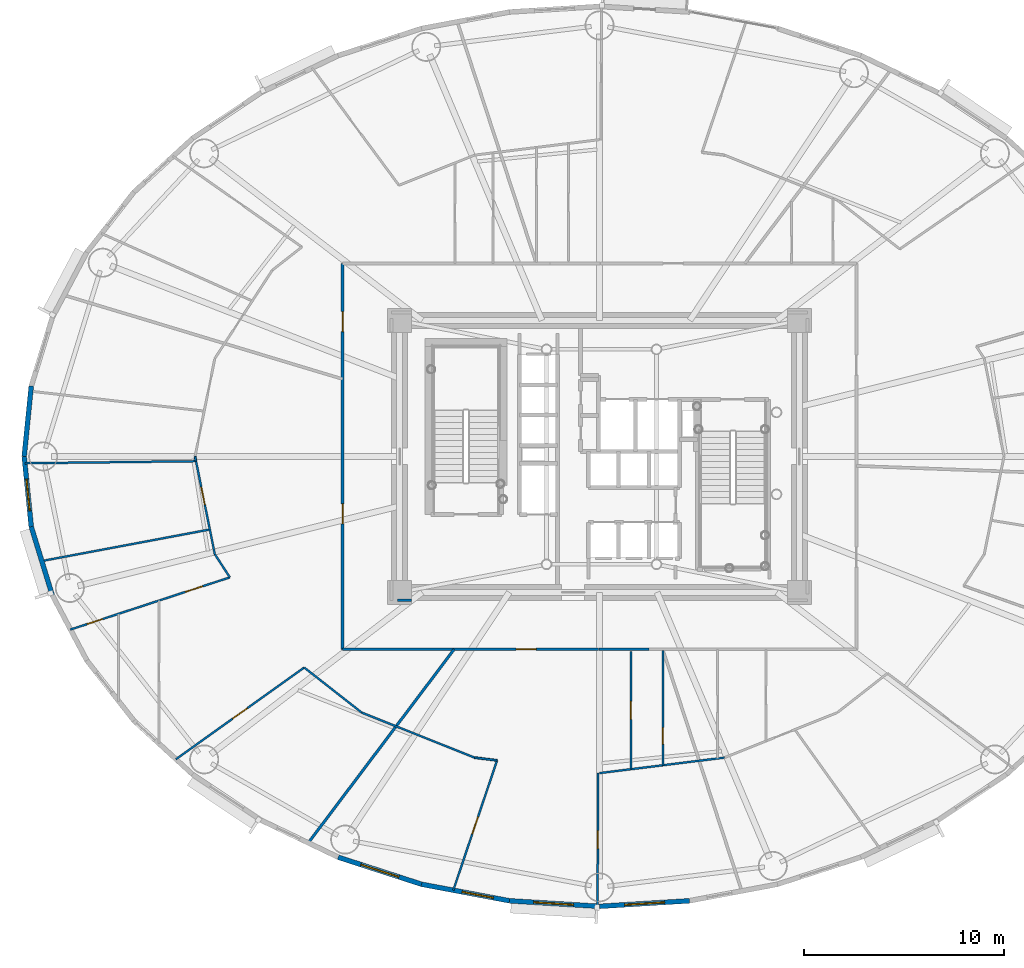
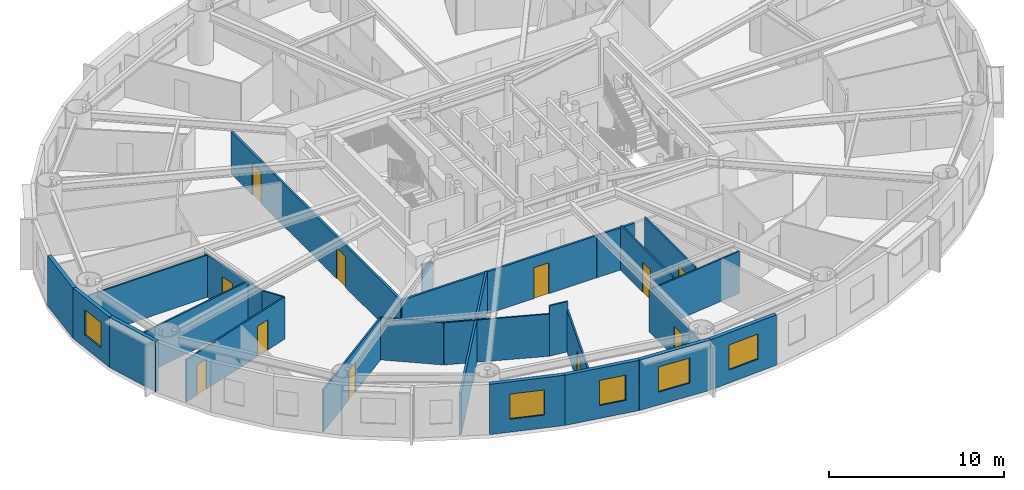
# One storey, part 6 of 16: 27 walls, 11 doors, 5 windows, 16 openings.
"""IFC4 building model written with IfcOpenShell, lengths in metres."""

from ifc_helpers import new_model, si_unit, direction, frame, frame_2d, origin, origin_2d, place, context, subcontext, project, spatial, rectangle, extrude, source, transform, mapped, material, layer, layer_set, type_object, element, fill, save


model = new_model("IFC4")

# Units and contexts
model_context = context("Model", 3, precision=1e-05, world=origin(), true_north=direction((0.0, 1.0)))
body_context = subcontext(model_context, "Body", "Model", "MODEL_VIEW")
ifc_project = project(units=[si_unit("LENGTHUNIT", "METRE"), si_unit("AREAUNIT", "SQUARE_METRE"), si_unit("VOLUMEUNIT", "CUBIC_METRE"), si_unit("PLANEANGLEUNIT", "RADIAN"), si_unit("MASSUNIT", "GRAM", prefix="KILO")], contexts=[model_context])

# Site, building, storey
site_placement = place(None, origin())
site = spatial("IfcSite", under=ifc_project, at=site_placement, CompositionType="ELEMENT")
building_placement = place(site_placement, origin())
building = spatial("IfcBuilding", under=site, at=building_placement, Name="Linh Dai School and Residence Tower", CompositionType="ELEMENT")
storey_placement = place(building_placement, frame((0.0, 0.0, 108.449951171875)))
storey = spatial("IfcBuildingStorey", under=building, at=storey_placement, Name="L25", CompositionType="ELEMENT", Elevation=108.449951171875)

# Wall
ifc_material_1 = material(Name="Precast Concrete B45 (C35/45)", Category="concrete")
ifc_layer_1 = layer(ifc_material_1, 0.239990234375)
ifc_layer_set_1 = layer_set([ifc_layer_1], Name="Precast Concrete B45 (C35/45)")
wall_type_1 = type_object("IfcWallType", Name="EW-TC-240", PredefinedType="SOLIDWALL", material=ifc_layer_set_1)
wall_1_placement = place(storey_placement, frame((7.22509765625, 27.0, 0.0), z_axis=(0.0, 0.0, 1.0), x_axis=(0.099989468229, 0.994988495533, 0.0)))
element("IfcWall", 1, at=wall_1_placement, inside=storey, type_object=wall_type_1, Name="L25 Terracotta Exterior Wall 20", PredefinedType="SOLIDWALL", context=body_context, shape_type="SweptSolid", body=[
    extrude(rectangle(XDim=3.533203125, YDim=0.239990234375, at=frame_2d((1.7666015625, 0.0))), origin(), (0.0, 0.0, 1.0), 3.5),
])

# Wall, opening, window
wall_2_placement = place(storey_placement, frame((7.578369140625, 23.484619140625, 0.0), z_axis=(0.0, 0.0, 1.0), x_axis=(-0.099989468229, 0.994988495533, 0.0)))
wall_2 = element("IfcWall", 2, at=wall_2_placement, inside=storey, type_object=wall_type_1, Name="L25 Terracotta Exterior Wall 21", PredefinedType="SOLIDWALL", context=body_context, shape_type="SweptSolid", body=[
    extrude(rectangle(XDim=3.533203125, YDim=0.239990234375, at=frame_2d((1.7666015625, 0.0))), origin(), (0.0, 0.0, 1.0), 3.5),
])
opening_1_placement = place(wall_2_placement, frame((0.7939453125, 0.0, 0.89990234375)))
opening_1 = element("IfcOpeningElement", 3, at=opening_1_placement, cuts=wall_2, Name="Opening W2", PredefinedType="OPENING", context=body_context, shape_type="SweptSolid", body=[
    extrude(rectangle(XDim=1.60009765625, YDim=1.75, at=origin_2d()), frame((0.800048828125, 0.1298828125, 0.875), z_axis=(0.0, -1.0, 0.0), x_axis=(1.0, 0.0, 0.0)), (0.0, 0.0, 1.0), 0.260009765625),
])
ifc_material_2 = material(Name="Double Low-E Insulated Glazing", Category="glass")
window_type_1 = type_object("IfcWindowType", Name="WN-RES-1600x1750", PartitioningType="DOUBLE_PANEL_VERTICAL", PredefinedType="WINDOW", material=ifc_material_2)
shared_shape_1 = source(origin(), body_context, "Body", "SweptSolid", [
    extrude(rectangle(XDim=1.60009765625, YDim=1.75, at=origin_2d()), frame((0.800048828125, 0.030029296875, 0.875), z_axis=(0.0, -1.0, 0.0), x_axis=(1.0, 0.0, 0.0)), (0.0, 0.0, 1.0), 0.06005859375),
])
window_1_placement = place(opening_1_placement, origin())
window_1 = element("IfcWindow", 4, at=window_1_placement, inside=storey, type_object=window_type_1, Name="L25 Exterior Window 21.1", OverallHeight=1.75, OverallWidth=1.60009765625, PartitioningType="DOUBLE_PANEL_VERTICAL", PredefinedType="WINDOW", context=body_context, shape_type="MappedRepresentation", body=[
    mapped(shared_shape_1, transform((0.0, 0.0, 0.0), x_axis=(1.0, 0.0, 0.0), y_axis=(0.0, 1.0, 0.0), z_axis=(0.0, 0.0, 1.0), scale=1.0)),
])
fill(opening_1, window_1)

# Wall
wall_3_placement = place(storey_placement, frame((8.6298828125, 20.054931640625, 0.0), z_axis=(0.0, 0.0, 1.0), x_axis=(-0.293124431344, 0.956074300329, 0.0)))
element("IfcWall", 5, at=wall_3_placement, inside=storey, type_object=wall_type_1, Name="L25 Terracotta Exterior Wall 22", PredefinedType="SOLIDWALL", context=body_context, shape_type="SweptSolid", body=[
    extrude(rectangle(XDim=3.587158203125, YDim=0.239990234375, at=frame_2d((1.79345703125, 0.0))), origin(), (0.0, 0.0, 1.0), 3.5),
])

# Wall, opening, window
wall_4_placement = place(storey_placement, frame((27.100341796875, 5.5986328125, 0.0), z_axis=(0.0, 0.0, 1.0), x_axis=(-0.951211346073, 0.308540070495, 0.0)))
wall_4 = element("IfcWall", 6, at=wall_4_placement, inside=storey, type_object=wall_type_1, Name="L25 Terracotta Exterior Wall 28", PredefinedType="SOLIDWALL", context=body_context, shape_type="SweptSolid", body=[
    extrude(rectangle(XDim=4.388427734375, YDim=0.239990234375, at=frame_2d((2.1943359375, 0.0))), origin(), (0.0, 0.0, 1.0), 3.5),
])
opening_2_placement = place(wall_4_placement, frame((1.194091796875, 0.0, 0.89990234375)))
opening_2 = element("IfcOpeningElement", 7, at=opening_2_placement, cuts=wall_4, Name="Opening W1", PredefinedType="OPENING", context=body_context, shape_type="SweptSolid", body=[
    extrude(rectangle(XDim=2.0, YDim=1.75, at=origin_2d()), frame((1.0, 0.1298828125, 0.875), z_axis=(0.0, -1.0, 0.0), x_axis=(1.0, 0.0, 0.0)), (0.0, 0.0, 1.0), 0.260009765625),
])
window_type_2 = type_object("IfcWindowType", Name="WN-RES-2000x1750", PartitioningType="DOUBLE_PANEL_VERTICAL", PredefinedType="WINDOW", material=ifc_material_2)
shared_shape_2 = source(origin(), body_context, "Body", "SweptSolid", [
    extrude(rectangle(XDim=2.0, YDim=1.75, at=origin_2d()), frame((1.0, 0.030029296875, 0.875), z_axis=(0.0, -1.0, 0.0), x_axis=(1.0, 0.0, 0.0)), (0.0, 0.0, 1.0), 0.06005859375),
])
window_2_placement = place(opening_2_placement, origin())
window_2 = element("IfcWindow", 8, at=window_2_placement, inside=storey, type_object=window_type_2, Name="L25 Exterior Window 28.1", OverallHeight=1.75, OverallWidth=2.0, PartitioningType="DOUBLE_PANEL_VERTICAL", PredefinedType="WINDOW", context=body_context, shape_type="MappedRepresentation", body=[
    mapped(shared_shape_2, transform((0.0, 0.0, 0.0), x_axis=(1.0, 0.0, 0.0), y_axis=(0.0, 1.0, 0.0), z_axis=(0.0, 0.0, 1.0), scale=1.0)),
])
fill(opening_2, window_2)

wall_5_placement = place(storey_placement, frame((31.494384765625, 4.772705078125, 0.0), z_axis=(0.0, 0.0, 1.0), x_axis=(-0.982789252177, 0.184730305596, 0.0)))
wall_5 = element("IfcWall", 9, at=wall_5_placement, inside=storey, type_object=wall_type_1, Name="L25 Terracotta Exterior Wall 29", PredefinedType="SOLIDWALL", context=body_context, shape_type="SweptSolid", body=[
    extrude(rectangle(XDim=4.470947265625, YDim=0.239990234375, at=frame_2d((2.2353515625, 0.0))), origin(), (0.0, 0.0, 1.0), 3.5),
])
opening_3_placement = place(wall_5_placement, frame((0.813720703125, 0.0, 0.89990234375)))
opening_3 = element("IfcOpeningElement", 10, at=opening_3_placement, cuts=wall_5, Name="Opening W2", PredefinedType="OPENING", context=body_context, shape_type="SweptSolid", body=[
    extrude(rectangle(XDim=1.60009765625, YDim=1.75, at=origin_2d()), frame((0.800048828125, 0.1298828125, 0.875), z_axis=(0.0, -1.0, 0.0), x_axis=(1.0, 0.0, 0.0)), (0.0, 0.0, 1.0), 0.260009765625),
])
window_3_placement = place(opening_3_placement, origin())
window_3 = element("IfcWindow", 11, at=window_3_placement, inside=storey, type_object=window_type_1, Name="L25 Exterior Window 29.1", OverallHeight=1.75, OverallWidth=1.60009765625, PartitioningType="DOUBLE_PANEL_VERTICAL", PredefinedType="WINDOW", context=body_context, shape_type="MappedRepresentation", body=[
    mapped(shared_shape_1, transform((0.0, 0.0, 0.0), x_axis=(1.0, 0.0, 0.0), y_axis=(0.0, 1.0, 0.0), z_axis=(0.0, 0.0, 1.0), scale=1.0)),
])
fill(opening_3, window_3)

wall_6_placement = place(storey_placement, frame((36.0, 4.4951171875, 0.0), z_axis=(0.0, 0.0, 1.0), x_axis=(-0.998107531589, 0.061492726276, 0.0)))
wall_6 = element("IfcWall", 12, at=wall_6_placement, inside=storey, type_object=wall_type_1, Name="L25 Terracotta Exterior Wall 30", PredefinedType="SOLIDWALL", context=body_context, shape_type="SweptSolid", body=[
    extrude(rectangle(XDim=4.51416015625, YDim=0.239990234375, at=frame_2d((2.257080078125, 0.0))), origin(), (0.0, 0.0, 1.0), 3.5),
])
opening_4_placement = place(wall_6_placement, frame((1.305908203125, 0.0, 0.89990234375)))
opening_4 = element("IfcOpeningElement", 13, at=opening_4_placement, cuts=wall_6, Name="Opening W1", PredefinedType="OPENING", context=body_context, shape_type="SweptSolid", body=[
    extrude(rectangle(XDim=2.0, YDim=1.75, at=origin_2d()), frame((1.0, 0.1298828125, 0.875), z_axis=(0.0, -1.0, 0.0), x_axis=(1.0, 0.0, 0.0)), (0.0, 0.0, 1.0), 0.260009765625),
])
window_4_placement = place(opening_4_placement, origin())
window_4 = element("IfcWindow", 14, at=window_4_placement, inside=storey, type_object=window_type_2, Name="L25 Exterior Window 30.1", OverallHeight=1.75, OverallWidth=2.0, PartitioningType="DOUBLE_PANEL_VERTICAL", PredefinedType="WINDOW", context=body_context, shape_type="MappedRepresentation", body=[
    mapped(shared_shape_2, transform((0.0, 0.0, 0.0), x_axis=(1.0, 0.0, 0.0), y_axis=(0.0, 1.0, 0.0), z_axis=(0.0, 0.0, 1.0), scale=1.0)),
])
fill(opening_4, window_4)

wall_7_placement = place(storey_placement, frame((40.505615234375, 4.772705078125, 0.0), z_axis=(0.0, 0.0, 1.0), x_axis=(-0.998107531589, -0.061492726276, 0.0)))
wall_7 = element("IfcWall", 15, at=wall_7_placement, inside=storey, type_object=wall_type_1, Name="L25 Terracotta Exterior Wall 31", PredefinedType="SOLIDWALL", context=body_context, shape_type="SweptSolid", body=[
    extrude(rectangle(XDim=4.51416015625, YDim=0.239990234375, at=frame_2d((2.257080078125, 0.0))), origin(), (0.0, 0.0, 1.0), 3.5),
])
opening_5_placement = place(wall_7_placement, frame((1.257080078125, 0.0, 0.89990234375)))
opening_5 = element("IfcOpeningElement", 16, at=opening_5_placement, cuts=wall_7, Name="Opening W1", PredefinedType="OPENING", context=body_context, shape_type="SweptSolid", body=[
    extrude(rectangle(XDim=2.0, YDim=1.75, at=origin_2d()), frame((1.0, 0.1298828125, 0.875), z_axis=(0.0, -1.0, 0.0), x_axis=(1.0, 0.0, 0.0)), (0.0, 0.0, 1.0), 0.260009765625),
])
window_5_placement = place(opening_5_placement, origin())
window_5 = element("IfcWindow", 17, at=window_5_placement, inside=storey, type_object=window_type_2, Name="L25 Exterior Window 31.1", OverallHeight=1.75, OverallWidth=2.0, PartitioningType="DOUBLE_PANEL_VERTICAL", PredefinedType="WINDOW", context=body_context, shape_type="MappedRepresentation", body=[
    mapped(shared_shape_2, transform((0.0, 0.0, 0.0), x_axis=(1.0, 0.0, 0.0), y_axis=(0.0, 1.0, 0.0), z_axis=(0.0, 0.0, 1.0), scale=1.0)),
])
fill(opening_5, window_5)

# Wall
ifc_material_3 = material(Name="Autoclaved Aerated Concrete Blockwork", Category="masonry")
ifc_layer_2 = layer(ifc_material_3, 0.135009765625)
ifc_layer_set_2 = layer_set([ifc_layer_2], Name="Autoclaved Aerated Concrete Blockwork")
wall_type_2 = type_object("IfcWallType", Name="IW-CORR-135-EI90", PredefinedType="PARTITIONING", material=ifc_layer_set_2)
wall_8_placement = place(storey_placement, frame((21.429931640625, 7.6650390625, 0.0), z_axis=(0.0, 0.0, 1.0), x_axis=(0.601821582461, 0.798630567211, 0.0)))
element("IfcWall", 18, at=wall_8_placement, inside=storey, type_object=wall_type_2, Name="L25 Interior Partition Wall 018", PredefinedType="PARTITIONING", context=body_context, shape_type="SweptSolid", body=[
    extrude(rectangle(XDim=12.127197265625, YDim=0.135009765625, at=frame_2d((6.0634765625, 0.0))), origin(), (0.0, 0.0, 1.0), 2.93505859375),
])

# Wall, openings, doors
wall_9_placement = place(storey_placement, frame((23.14990234375, 17.35009765625, 0.0), z_axis=(0.0, 0.0, 1.0), x_axis=(0.0, 1.0, 0.0)))
wall_9 = element("IfcWall", 19, at=wall_9_placement, inside=storey, type_object=wall_type_2, Name="L25 Interior Partition Wall 020", PredefinedType="PARTITIONING", context=body_context, shape_type="SweptSolid", body=[
    extrude(rectangle(XDim=19.2998046875, YDim=0.135009765625, at=frame_2d((9.64990234375, 0.0))), origin(), (0.0, 0.0, 1.0), 2.93505859375),
])
opening_6_placement = place(wall_9_placement, frame((15.888671875, 0.0, 0.0)))
opening_6 = element("IfcOpeningElement", 20, at=opening_6_placement, cuts=wall_9, Name="Opening D03", PredefinedType="OPENING", context=body_context, shape_type="SweptSolid", body=[
    extrude(rectangle(XDim=1.0, YDim=2.14990234375, at=origin_2d()), frame((0.5, 0.07763671875, 1.074951171875), z_axis=(0.0, -1.0, 0.0), x_axis=(1.0, 0.0, 0.0)), (0.0, 0.0, 1.0), 0.155029296875),
])
opening_7_placement = place(wall_9_placement, frame((6.27880859375, 0.0, 0.0)))
opening_7 = element("IfcOpeningElement", 21, at=opening_7_placement, cuts=wall_9, Name="Opening D03", PredefinedType="OPENING", context=body_context, shape_type="SweptSolid", body=[
    extrude(rectangle(XDim=1.0, YDim=2.14990234375, at=origin_2d()), frame((0.5, 0.07763671875, 1.074951171875), z_axis=(0.0, -1.0, 0.0), x_axis=(1.0, 0.0, 0.0)), (0.0, 0.0, 1.0), 0.155029296875),
])
ifc_material_4 = material(Name="Fire-Rated Solid Timber Entrance Door", Category="wood")
door_type_1 = type_object("IfcDoorType", Name="DR-FLAT-1000x2150-FD60S", OperationType="NOTDEFINED", PredefinedType="DOOR", material=ifc_material_4)
shared_shape_3 = source(origin(), body_context, "Body", "SweptSolid", [
    extrude(rectangle(XDim=1.0, YDim=2.14990234375, at=origin_2d()), frame((0.5, 0.02490234375, 1.074951171875), z_axis=(0.0, -1.0, 0.0), x_axis=(1.0, 0.0, 0.0)), (0.0, 0.0, 1.0), 0.050048828125),
])
door_1_placement = place(opening_6_placement, origin())
door_1 = element("IfcDoor", 22, at=door_1_placement, inside=storey, type_object=door_type_1, Name="L25 U2502 Apartment Entrance Door", OperationType="SINGLE_SWING_RIGHT", OverallHeight=2.14990234375, OverallWidth=1.0, PredefinedType="DOOR", context=body_context, shape_type="MappedRepresentation", body=[
    mapped(shared_shape_3, transform((0.0, 0.0, 0.0), x_axis=(1.0, 0.0, 0.0), y_axis=(0.0, 1.0, 0.0), z_axis=(0.0, 0.0, 1.0), scale=1.0)),
])
fill(opening_6, door_1)
door_2_placement = place(opening_7_placement, origin())
door_2 = element("IfcDoor", 23, at=door_2_placement, inside=storey, type_object=door_type_1, Name="L25 U2503 Apartment Entrance Door", OperationType="SINGLE_SWING_RIGHT", OverallHeight=2.14990234375, OverallWidth=1.0, PredefinedType="DOOR", context=body_context, shape_type="MappedRepresentation", body=[
    mapped(shared_shape_3, transform((0.0, 0.0, 0.0), x_axis=(1.0, 0.0, 0.0), y_axis=(0.0, 1.0, 0.0), z_axis=(0.0, 0.0, 1.0), scale=1.0)),
])
fill(opening_7, door_2)

# Wall, opening, door
wall_10_placement = place(storey_placement, frame((23.14990234375, 17.35009765625, 0.0), z_axis=(0.0, 0.0, 1.0), x_axis=(1.0, 0.0, 0.0)))
wall_10 = element("IfcWall", 24, at=wall_10_placement, inside=storey, type_object=wall_type_2, Name="L25 Interior Partition Wall 021", PredefinedType="PARTITIONING", context=body_context, shape_type="SweptSolid", body=[
    extrude(rectangle(XDim=12.80810546875, YDim=0.135009765625, at=frame_2d((6.404052734375, 0.0))), origin(), (0.0, 0.0, 1.0), 2.93505859375),
])
opening_8_placement = place(wall_10_placement, frame((8.673095703125, 0.0, 0.0)))
opening_8 = element("IfcOpeningElement", 25, at=opening_8_placement, cuts=wall_10, Name="Opening D03", PredefinedType="OPENING", context=body_context, shape_type="SweptSolid", body=[
    extrude(rectangle(XDim=1.0, YDim=2.14990234375, at=origin_2d()), frame((0.5, 0.07763671875, 1.074951171875), z_axis=(0.0, -1.0, 0.0), x_axis=(1.0, 0.0, 0.0)), (0.0, 0.0, 1.0), 0.155029296875),
])
door_3_placement = place(opening_8_placement, origin())
door_3 = element("IfcDoor", 26, at=door_3_placement, inside=storey, type_object=door_type_1, Name="L25 U2504 Apartment Entrance Door", OperationType="SINGLE_SWING_RIGHT", OverallHeight=2.14990234375, OverallWidth=1.0, PredefinedType="DOOR", context=body_context, shape_type="MappedRepresentation", body=[
    mapped(shared_shape_3, transform((0.0, 0.0, 0.0), x_axis=(1.0, 0.0, 0.0), y_axis=(0.0, 1.0, 0.0), z_axis=(0.0, 0.0, 1.0), scale=1.0)),
])
fill(opening_8, door_3)

# Walls
wall_11_placement = place(storey_placement, frame((38.467041015625, 17.35009765625, 0.0), z_axis=(0.0, 0.0, 1.0), x_axis=(-1.0, 0.0, 0.0)))
element("IfcWall", 27, at=wall_11_placement, inside=storey, type_object=wall_type_2, Name="L25 Interior Partition Wall 110", PredefinedType="PARTITIONING", context=body_context, shape_type="SweptSolid", body=[
    extrude(rectangle(XDim=2.499267578125, YDim=0.135009765625, at=frame_2d((1.24951171875, 0.0))), origin(), (0.0, 0.0, 1.0), 2.93505859375),
])
wall_12_placement = place(storey_placement, frame((25.907470703125, 19.800048828125, 0.0), z_axis=(0.0, 0.0, 1.0), x_axis=(1.0, 0.0, 0.0)))
element("IfcWall", 28, at=wall_12_placement, inside=storey, type_object=wall_type_2, Name="L25 Interior Partition Wall 115", PredefinedType="PARTITIONING", context=body_context, shape_type="SweptSolid", body=[
    extrude(rectangle(XDim=0.6826171875, YDim=0.135009765625, at=frame_2d((0.34130859375, 0.0))), origin(), (0.0, 0.0, 1.0), 2.93505859375),
])
ifc_material_5 = material(Name="Gypsum Plasterboard Acoustic Stud Partition", Category="masonry")
ifc_layer_3 = layer(ifc_material_5, 0.10009765625)
ifc_layer_set_3 = layer_set([ifc_layer_3], Name="Gypsum Plasterboard Acoustic Stud Partition")
wall_type_3 = type_object("IfcWallType", Name="IW-UNIT-100", PredefinedType="PARTITIONING", material=ifc_layer_set_3)
wall_13_placement = place(storey_placement, frame((7.254638671875, 26.655029296875, 0.0), z_axis=(0.0, 0.0, 1.0), x_axis=(0.999927994094, 0.012000276098, 0.0)))
element("IfcWall", 29, at=wall_13_placement, inside=storey, type_object=wall_type_3, Name="L25 Interior Partition Wall 001", PredefinedType="PARTITIONING", context=body_context, shape_type="SweptSolid", body=[
    extrude(rectangle(XDim=8.565185546875, YDim=0.10009765625, at=frame_2d((4.28271484375, 0.0))), origin(), (0.0, 0.0, 1.0), 2.93505859375),
])
wall_14_placement = place(storey_placement, frame((8.100341796875, 21.764892578125, 0.0), z_axis=(0.0, 0.0, 1.0), x_axis=(0.982848598081, 0.184414297849, 0.0)))
element("IfcWall", 30, at=wall_14_placement, inside=storey, type_object=wall_type_3, Name="L25 Interior Partition Wall 003", PredefinedType="PARTITIONING", context=body_context, shape_type="SweptSolid", body=[
    extrude(rectangle(XDim=8.55615234375, YDim=0.10009765625, at=frame_2d((4.278076171875, 0.0))), origin(), (0.0, 0.0, 1.0), 2.93505859375),
])

# Wall, openings, doors
wall_15_placement = place(storey_placement, frame((9.533203125, 18.336669921875, 0.0), z_axis=(0.0, 0.0, 1.0), x_axis=(0.950384937961, 0.311076308478, 0.0)))
wall_15 = element("IfcWall", 31, at=wall_15_placement, inside=storey, type_object=wall_type_3, Name="L25 Interior Partition Wall 005", PredefinedType="PARTITIONING", context=body_context, shape_type="SweptSolid", body=[
    extrude(rectangle(XDim=8.39599609375, YDim=0.10009765625, at=frame_2d((4.197998046875, 0.0))), origin(), (0.0, 0.0, 1.0), 2.93505859375),
])
opening_9_placement = place(wall_15_placement, frame((6.05712890625, 0.0, 0.0)))
opening_9 = element("IfcOpeningElement", 32, at=opening_9_placement, cuts=wall_15, Name="Opening D05", PredefinedType="OPENING", context=body_context, shape_type="SweptSolid", body=[
    extrude(rectangle(XDim=0.89990234375, YDim=2.10009765625, at=origin_2d()), frame((0.449951171875, 0.06005859375, 1.050048828125), z_axis=(0.0, -1.0, 0.0), x_axis=(1.0, 0.0, 0.0)), (0.0, 0.0, 1.0), 0.1201171875),
])
opening_10_placement = place(wall_15_placement, frame((0.879638671875, 0.0, 0.0)))
opening_10 = element("IfcOpeningElement", 33, at=opening_10_placement, cuts=wall_15, Name="Opening D06", PredefinedType="OPENING", context=body_context, shape_type="SweptSolid", body=[
    extrude(rectangle(XDim=0.820068359375, YDim=2.10009765625, at=origin_2d()), frame((0.41015625, 0.06005859375, 1.050048828125), z_axis=(0.0, -1.0, 0.0), x_axis=(1.0, 0.0, 0.0)), (0.0, 0.0, 1.0), 0.1201171875),
])
ifc_material_6 = material(Name="Moisture-Resistant Timber Bathroom Door", Category="wood")
door_type_2 = type_object("IfcDoorType", Name="DR-WET-820x2100", OperationType="NOTDEFINED", PredefinedType="DOOR", material=ifc_material_6)
shared_shape_4 = source(origin(), body_context, "Body", "SweptSolid", [
    extrude(rectangle(XDim=0.820068359375, YDim=2.10009765625, at=origin_2d()), frame((0.41015625, 0.02490234375, 1.050048828125), z_axis=(0.0, -1.0, 0.0), x_axis=(1.0, 0.0, 0.0)), (0.0, 0.0, 1.0), 0.050048828125),
])
door_4_placement = place(opening_10_placement, origin())
door_4 = element("IfcDoor", 34, at=door_4_placement, inside=storey, type_object=door_type_2, Name="L25 Apartment U2503 Bathroom 1 Door", OperationType="SINGLE_SWING_RIGHT", OverallHeight=2.10009765625, OverallWidth=0.820068359375, PredefinedType="DOOR", context=body_context, shape_type="MappedRepresentation", body=[
    mapped(shared_shape_4, transform((0.0, 0.0, 0.0), x_axis=(1.0, 0.0, 0.0), y_axis=(0.0, 1.0, 0.0), z_axis=(0.0, 0.0, 1.0), scale=1.0)),
])
fill(opening_10, door_4)
ifc_material_7 = material(Name="Engineered Timber Internal Door", Category="wood")
door_type_3 = type_object("IfcDoorType", Name="DR-INT-900x2100", OperationType="NOTDEFINED", PredefinedType="DOOR", material=ifc_material_7)
shared_shape_5 = source(origin(), body_context, "Body", "SweptSolid", [
    extrude(rectangle(XDim=0.89990234375, YDim=2.10009765625, at=origin_2d()), frame((0.449951171875, 0.02490234375, 1.050048828125), z_axis=(0.0, -1.0, 0.0), x_axis=(1.0, 0.0, 0.0)), (0.0, 0.0, 1.0), 0.050048828125),
])
door_5_placement = place(opening_9_placement, origin())
door_5 = element("IfcDoor", 35, at=door_5_placement, inside=storey, type_object=door_type_3, Name="L25 Apartment U2503 Study Door", OperationType="SINGLE_SWING_RIGHT", OverallHeight=2.10009765625, OverallWidth=0.89990234375, PredefinedType="DOOR", context=body_context, shape_type="MappedRepresentation", body=[
    mapped(shared_shape_5, transform((0.0, 0.0, 0.0), x_axis=(1.0, 0.0, 0.0), y_axis=(0.0, 1.0, 0.0), z_axis=(0.0, 0.0, 1.0), scale=1.0)),
])
fill(opening_9, door_5)

# Wall, opening, door
wall_16_placement = place(storey_placement, frame((14.811279296875, 11.851318359375, 0.0), z_axis=(0.0, 0.0, 1.0), x_axis=(0.813476205606, 0.581598197137, 0.0)))
wall_16 = element("IfcWall", 36, at=wall_16_placement, inside=storey, type_object=wall_type_3, Name="L25 Interior Partition Wall 010", PredefinedType="PARTITIONING", context=body_context, shape_type="SweptSolid", body=[
    extrude(rectangle(XDim=7.88916015625, YDim=0.10009765625, at=frame_2d((3.944580078125, 0.0))), origin(), (0.0, 0.0, 1.0), 2.93505859375),
])
opening_11_placement = place(wall_16_placement, frame((3.49462890625, 0.0, 0.0)))
opening_11 = element("IfcOpeningElement", 37, at=opening_11_placement, cuts=wall_16, Name="Opening D05", PredefinedType="OPENING", context=body_context, shape_type="SweptSolid", body=[
    extrude(rectangle(XDim=0.89990234375, YDim=2.10009765625, at=origin_2d()), frame((0.449951171875, 0.06005859375, 1.050048828125), z_axis=(0.0, -1.0, 0.0), x_axis=(1.0, 0.0, 0.0)), (0.0, 0.0, 1.0), 0.1201171875),
])
door_6_placement = place(opening_11_placement, origin())
door_6 = element("IfcDoor", 38, at=door_6_placement, inside=storey, type_object=door_type_3, Name="L25 Apartment U2503 Principal Bedroom 3 Door", OperationType="SINGLE_SWING_LEFT", OverallHeight=2.10009765625, OverallWidth=0.89990234375, PredefinedType="DOOR", context=body_context, shape_type="MappedRepresentation", body=[
    mapped(shared_shape_5, transform((0.0, 0.0, 0.0), x_axis=(1.0, 0.0, 0.0), y_axis=(0.0, 1.0, 0.0), z_axis=(0.0, 0.0, 1.0), scale=1.0)),
])
fill(opening_11, door_6)

# Wall
wall_17_placement = place(storey_placement, frame((15.77001953125, 27.0, 0.0), z_axis=(0.0, 0.0, 1.0), x_axis=(0.198585481658, -0.980083571169, 0.0)))
element("IfcWall", 39, at=wall_17_placement, inside=storey, type_object=wall_type_3, Name="L25 Interior Partition Wall 011", PredefinedType="PARTITIONING", context=body_context, shape_type="SweptSolid", body=[
    extrude(rectangle(XDim=0.2470703125, YDim=0.10009765625, at=frame_2d((0.12353515625, 0.0))), origin(), (0.0, 0.0, 1.0), 2.93505859375),
])

# Wall, opening, door
wall_18_placement = place(storey_placement, frame((15.821044921875, 26.748046875, 0.0), z_axis=(0.0, 0.0, 1.0), x_axis=(0.198216867743, -0.980158187918, 0.0)))
wall_18 = element("IfcWall", 40, at=wall_18_placement, inside=storey, type_object=wall_type_3, Name="L25 Interior Partition Wall 013", PredefinedType="PARTITIONING", context=body_context, shape_type="SweptSolid", body=[
    extrude(rectangle(XDim=4.737060546875, YDim=0.10009765625, at=frame_2d((2.36865234375, 0.0))), origin(), (0.0, 0.0, 1.0), 2.93505859375),
])
opening_12_placement = place(wall_18_placement, frame((1.30712890625, 0.0, 0.0)))
opening_12 = element("IfcOpeningElement", 41, at=opening_12_placement, cuts=wall_18, Name="Opening D05", PredefinedType="OPENING", context=body_context, shape_type="SweptSolid", body=[
    extrude(rectangle(XDim=0.89990234375, YDim=2.10009765625, at=origin_2d()), frame((0.449951171875, 0.06005859375, 1.050048828125), z_axis=(0.0, -1.0, 0.0), x_axis=(1.0, 0.0, 0.0)), (0.0, 0.0, 1.0), 0.1201171875),
])
door_7_placement = place(opening_12_placement, origin())
door_7 = element("IfcDoor", 42, at=door_7_placement, inside=storey, type_object=door_type_3, Name="L25 Apartment U2503 Principal Bedroom 2 Door", OperationType="SINGLE_SWING_LEFT", OverallHeight=2.10009765625, OverallWidth=0.89990234375, PredefinedType="DOOR", context=body_context, shape_type="MappedRepresentation", body=[
    mapped(shared_shape_5, transform((0.0, 0.0, 0.0), x_axis=(1.0, 0.0, 0.0), y_axis=(0.0, 1.0, 0.0), z_axis=(0.0, 0.0, 1.0), scale=1.0)),
])
fill(opening_12, door_7)

# Walls
wall_19_placement = place(storey_placement, frame((16.760009765625, 22.10498046875, 0.0), z_axis=(0.0, 0.0, 1.0), x_axis=(0.54547956044, -0.83812412514, 0.0)))
element("IfcWall", 43, at=wall_19_placement, inside=storey, type_object=wall_type_3, Name="L25 Interior Partition Wall 014", PredefinedType="PARTITIONING", context=body_context, shape_type="SweptSolid", body=[
    extrude(rectangle(XDim=1.3798828125, YDim=0.10009765625, at=frame_2d((0.68994140625, 0.0))), origin(), (0.0, 0.0, 1.0), 2.93505859375),
])
wall_20_placement = place(storey_placement, frame((21.22900390625, 16.439697265625, 0.0), z_axis=(0.0, 0.0, 1.0), x_axis=(0.787324700524, -0.616538576201, 0.0)))
element("IfcWall", 44, at=wall_20_placement, inside=storey, type_object=wall_type_3, Name="L25 Interior Partition Wall 017", PredefinedType="PARTITIONING", context=body_context, shape_type="SweptSolid", body=[
    extrude(rectangle(XDim=3.658203125, YDim=0.10009765625, at=frame_2d((1.8291015625, 0.0))), origin(), (0.0, 0.0, 1.0), 2.93505859375),
])
wall_21_placement = place(storey_placement, frame((24.109130859375, 14.184326171875, 0.0), z_axis=(0.0, 0.0, 1.0), x_axis=(0.928803554156, -0.370572473055, 0.0)))
element("IfcWall", 45, at=wall_21_placement, inside=storey, type_object=wall_type_3, Name="L25 Interior Partition Wall 023", PredefinedType="PARTITIONING", context=body_context, shape_type="SweptSolid", body=[
    extrude(rectangle(XDim=6.07177734375, YDim=0.10009765625, at=frame_2d((3.035888671875, 0.0))), origin(), (0.0, 0.0, 1.0), 2.93505859375),
])

# Wall, opening, door
wall_22_placement = place(storey_placement, frame((28.68505859375, 5.295654296875, 0.0), z_axis=(0.0, 0.0, 1.0), x_axis=(0.319387131438, 0.947624324441, 0.0)))
wall_22 = element("IfcWall", 46, at=wall_22_placement, inside=storey, type_object=wall_type_3, Name="L25 Interior Partition Wall 026", PredefinedType="PARTITIONING", context=body_context, shape_type="SweptSolid", body=[
    extrude(rectangle(XDim=6.858154296875, YDim=0.10009765625, at=frame_2d((3.42919921875, 0.0))), origin(), (0.0, 0.0, 1.0), 2.93505859375),
])
opening_13_placement = place(wall_22_placement, frame((2.97900390625, 0.0, 0.0)))
opening_13 = element("IfcOpeningElement", 47, at=opening_13_placement, cuts=wall_22, Name="Opening D05", PredefinedType="OPENING", context=body_context, shape_type="SweptSolid", body=[
    extrude(rectangle(XDim=0.89990234375, YDim=2.10009765625, at=origin_2d()), frame((0.449951171875, 0.06005859375, 1.050048828125), z_axis=(0.0, -1.0, 0.0), x_axis=(1.0, 0.0, 0.0)), (0.0, 0.0, 1.0), 0.1201171875),
])
door_8_placement = place(opening_13_placement, origin())
door_8 = element("IfcDoor", 48, at=door_8_placement, inside=storey, type_object=door_type_3, Name="L25 Apartment U2504 Principal Bedroom 1 Door", OperationType="SINGLE_SWING_LEFT", OverallHeight=2.10009765625, OverallWidth=0.89990234375, PredefinedType="DOOR", context=body_context, shape_type="MappedRepresentation", body=[
    mapped(shared_shape_5, transform((0.0, 0.0, 0.0), x_axis=(1.0, 0.0, 0.0), y_axis=(0.0, 1.0, 0.0), z_axis=(0.0, 0.0, 1.0), scale=1.0)),
])
fill(opening_13, door_8)

# Wall
wall_23_placement = place(storey_placement, frame((29.74853515625, 11.934326171875, 0.0), z_axis=(0.0, 0.0, 1.0), x_axis=(0.99240961586, -0.122976234894, 0.0)))
element("IfcWall", 49, at=wall_23_placement, inside=storey, type_object=wall_type_3, Name="L25 Interior Partition Wall 029", PredefinedType="PARTITIONING", context=body_context, shape_type="SweptSolid", body=[
    extrude(rectangle(XDim=1.135498046875, YDim=0.10009765625, at=frame_2d((0.56787109375, 0.0))), origin(), (0.0, 0.0, 1.0), 3.5),
])

# Wall, opening, door
wall_24_placement = place(storey_placement, frame((35.90185546875, 4.49609375, 0.0), z_axis=(0.0, 0.0, 1.0), x_axis=(0.004354785612, 0.999990517876, 0.0)))
wall_24 = element("IfcWall", 50, at=wall_24_placement, inside=storey, type_object=wall_type_3, Name="L25 Interior Partition Wall 052", PredefinedType="PARTITIONING", context=body_context, shape_type="SweptSolid", body=[
    extrude(rectangle(XDim=6.67138671875, YDim=0.10009765625, at=frame_2d((3.335693359375, 0.0))), origin(), (0.0, 0.0, 1.0), 2.93505859375),
])
opening_14_placement = place(wall_24_placement, frame((2.8857421875, 0.0, 0.0)))
opening_14 = element("IfcOpeningElement", 51, at=opening_14_placement, cuts=wall_24, Name="Opening D05", PredefinedType="OPENING", context=body_context, shape_type="SweptSolid", body=[
    extrude(rectangle(XDim=0.89990234375, YDim=2.10009765625, at=origin_2d()), frame((0.449951171875, 0.06005859375, 1.050048828125), z_axis=(0.0, -1.0, 0.0), x_axis=(1.0, 0.0, 0.0)), (0.0, 0.0, 1.0), 0.1201171875),
])
door_9_placement = place(opening_14_placement, origin())
door_9 = element("IfcDoor", 52, at=door_9_placement, inside=storey, type_object=door_type_3, Name="L25 Apartment U2504 Principal Bedroom 2 Door", OperationType="SINGLE_SWING_RIGHT", OverallHeight=2.10009765625, OverallWidth=0.89990234375, PredefinedType="DOOR", context=body_context, shape_type="MappedRepresentation", body=[
    mapped(shared_shape_5, transform((0.0, 0.0, 0.0), x_axis=(1.0, 0.0, 0.0), y_axis=(0.0, 1.0, 0.0), z_axis=(0.0, 0.0, 1.0), scale=1.0)),
])
fill(opening_14, door_9)

# Wall
wall_25_placement = place(storey_placement, frame((36.0, 11.158935546875, 0.0), z_axis=(0.0, 0.0, 1.0), x_axis=(0.992395485088, 0.123090215599, 0.0)))
element("IfcWall", 53, at=wall_25_placement, inside=storey, type_object=wall_type_3, Name="L25 Interior Partition Wall 055", PredefinedType="PARTITIONING", context=body_context, shape_type="SweptSolid", body=[
    extrude(rectangle(XDim=6.29931640625, YDim=0.10009765625, at=frame_2d((3.149658203125, 0.0))), origin(), (0.0, 0.0, 1.0), 2.93505859375),
])

# Wall, opening, door
wall_26_placement = place(storey_placement, frame((37.563720703125, 11.35302734375, 0.0), z_axis=(0.0, 0.0, 1.0), x_axis=(0.0, 1.0, 0.0)))
wall_26 = element("IfcWall", 54, at=wall_26_placement, inside=storey, type_object=wall_type_3, Name="L25 Interior Partition Wall 060", PredefinedType="PARTITIONING", context=body_context, shape_type="SweptSolid", body=[
    extrude(rectangle(XDim=5.8837890625, YDim=0.10009765625, at=frame_2d((2.94189453125, 0.0))), origin(), (0.0, 0.0, 1.0), 3.125),
])
opening_15_placement = place(wall_26_placement, frame((2.491943359375, 0.0, 0.0)))
opening_15 = element("IfcOpeningElement", 55, at=opening_15_placement, cuts=wall_26, Name="Opening D05", PredefinedType="OPENING", context=body_context, shape_type="SweptSolid", body=[
    extrude(rectangle(XDim=0.89990234375, YDim=2.10009765625, at=origin_2d()), frame((0.449951171875, 0.06005859375, 1.050048828125), z_axis=(0.0, -1.0, 0.0), x_axis=(1.0, 0.0, 0.0)), (0.0, 0.0, 1.0), 0.1201171875),
])
door_10_placement = place(opening_15_placement, origin())
door_10 = element("IfcDoor", 56, at=door_10_placement, inside=storey, type_object=door_type_3, Name="L25 Apartment U2504 Kitchen Door", OperationType="SINGLE_SWING_LEFT", OverallHeight=2.10009765625, OverallWidth=0.89990234375, PredefinedType="DOOR", context=body_context, shape_type="MappedRepresentation", body=[
    mapped(shared_shape_5, transform((0.0, 0.0, 0.0), x_axis=(1.0, 0.0, 0.0), y_axis=(0.0, 1.0, 0.0), z_axis=(0.0, 0.0, 1.0), scale=1.0)),
])
fill(opening_15, door_10)

wall_27_placement = place(storey_placement, frame((39.164306640625, 11.551513671875, 0.0), z_axis=(0.0, 0.0, 1.0), x_axis=(0.0, 1.0, 0.0)))
wall_27 = element("IfcWall", 57, at=wall_27_placement, inside=storey, type_object=wall_type_3, Name="L25 Interior Partition Wall 065", PredefinedType="PARTITIONING", context=body_context, shape_type="SweptSolid", body=[
    extrude(rectangle(XDim=5.747802734375, YDim=0.10009765625, at=frame_2d((2.8740234375, 0.0))), origin(), (0.0, 0.0, 1.0), 3.125),
])
opening_16_placement = place(wall_27_placement, frame((1.0576171875, 0.0, 0.0)))
opening_16 = element("IfcOpeningElement", 58, at=opening_16_placement, cuts=wall_27, Name="Opening D06", PredefinedType="OPENING", context=body_context, shape_type="SweptSolid", body=[
    extrude(rectangle(XDim=0.820068359375, YDim=2.10009765625, at=origin_2d()), frame((0.41015625, 0.06005859375, 1.050048828125), z_axis=(0.0, -1.0, 0.0), x_axis=(1.0, 0.0, 0.0)), (0.0, 0.0, 1.0), 0.1201171875),
])
door_11_placement = place(opening_16_placement, origin())
door_11 = element("IfcDoor", 59, at=door_11_placement, inside=storey, type_object=door_type_2, Name="L25 Apartment U2504 Bathroom 1 Door", OperationType="SINGLE_SWING_RIGHT", OverallHeight=2.10009765625, OverallWidth=0.820068359375, PredefinedType="DOOR", context=body_context, shape_type="MappedRepresentation", body=[
    mapped(shared_shape_4, transform((0.0, 0.0, 0.0), x_axis=(1.0, 0.0, 0.0), y_axis=(0.0, 1.0, 0.0), z_axis=(0.0, 0.0, 1.0), scale=1.0)),
])
fill(opening_16, door_11)

save(model, "model.ifc")
